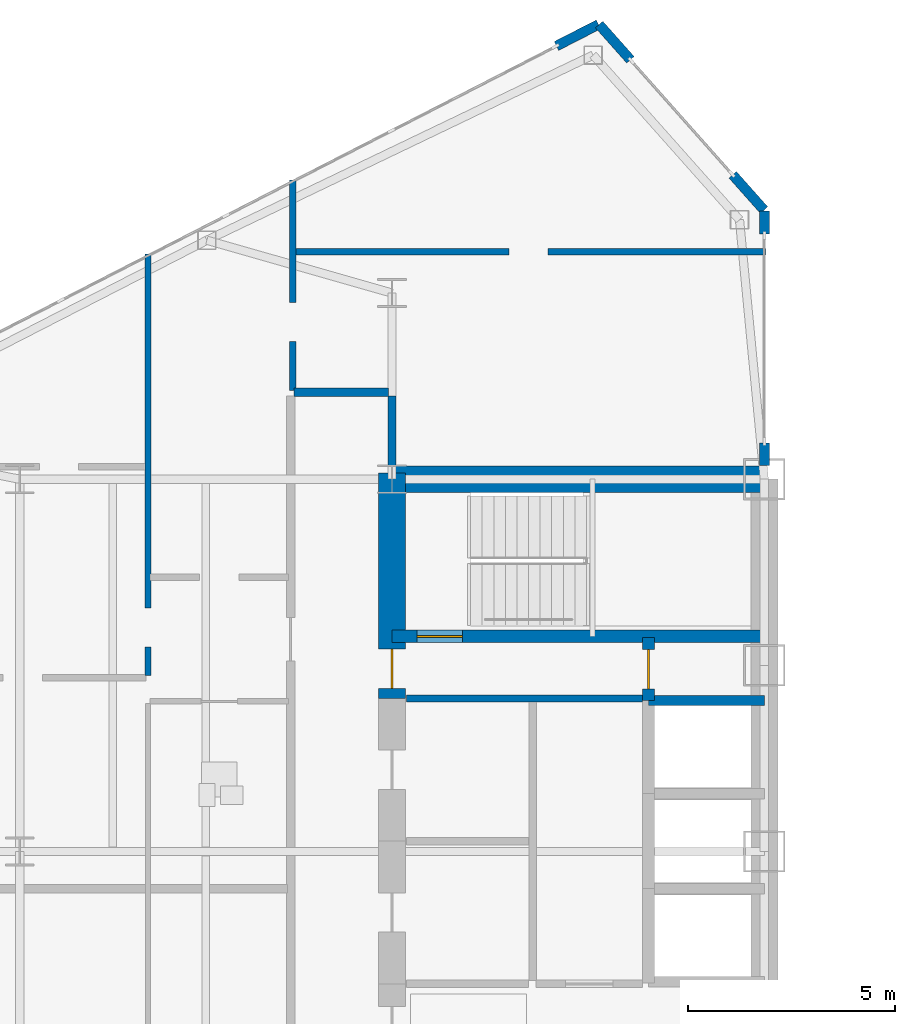
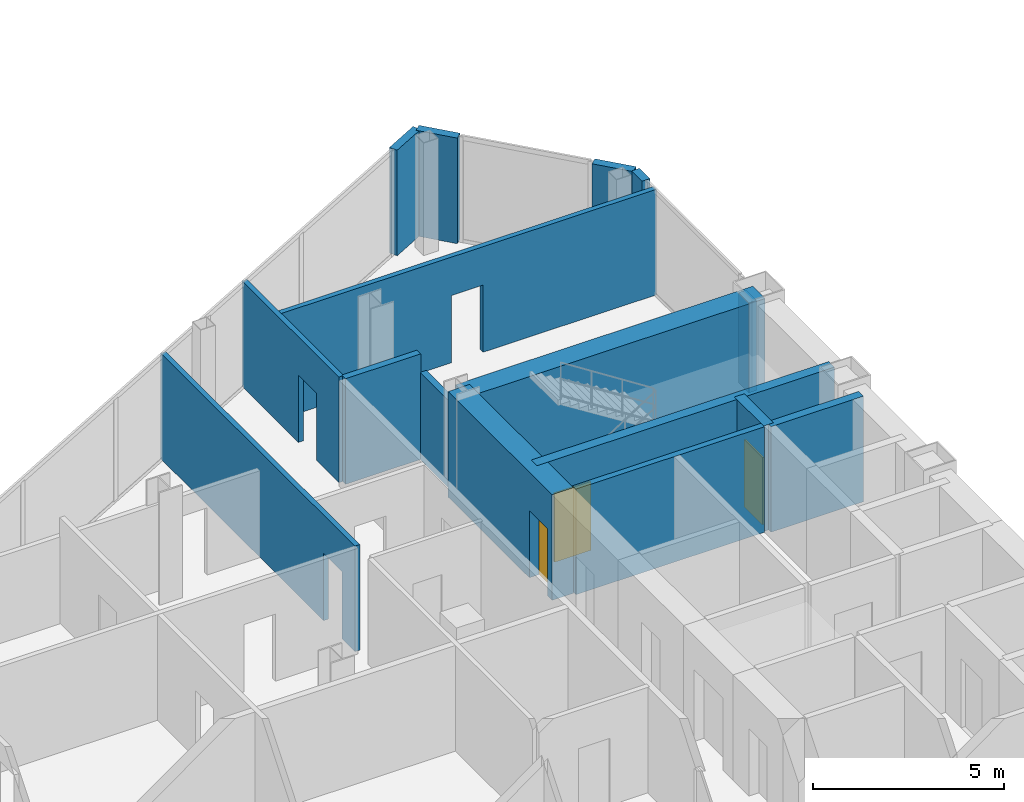
# One storey, part 18 of 24: 16 walls, 3 doors, 6 openings.
"""IFC4 building model written with IfcOpenShell, lengths in metres."""

from ifc_helpers import new_model, si_unit, direction, frame, frame_2d, origin, place, context, subcontext, project, spatial, rectangle, extrude, source, transform, mapped, material, layer, layer_set, type_object, type_shapes, element, fill, save


model = new_model("IFC4")

# Units and contexts
model_context = context("Model", 3, precision=1e-05, world=origin(), true_north=direction((0.0, 1.0)))
body_context = subcontext(model_context, "Body", "Model", "MODEL_VIEW")
ifc_project = project(units=[si_unit("LENGTHUNIT", "METRE"), si_unit("AREAUNIT", "SQUARE_METRE"), si_unit("VOLUMEUNIT", "CUBIC_METRE"), si_unit("PLANEANGLEUNIT", "RADIAN"), si_unit("MASSUNIT", "GRAM", prefix="KILO")], contexts=[model_context])

# Site, building, storey
site_placement = place(None, origin())
site = spatial("IfcSite", under=ifc_project, at=site_placement, CompositionType="ELEMENT")
building_placement = place(site_placement, origin())
building = spatial("IfcBuilding", under=site, at=building_placement, Name="Seokmaru Belvedere", CompositionType="ELEMENT")
storey_placement = place(building_placement, frame((0.0, 0.0, 117.60009765625)))
storey = spatial("IfcBuildingStorey", under=building, at=storey_placement, Name="L31", CompositionType="ELEMENT", Elevation=117.60009765625)

# Wall, opening
ifc_material_1 = material(Name="Fire-Rated Gypsum Shaftwall")
ifc_layer_1 = layer(ifc_material_1, 0.14990234375)
ifc_layer_set_1 = layer_set([ifc_layer_1], Name="Fire-Rated Gypsum Shaftwall")
wall_type_1 = type_object("IfcWallType", Name="Apartment Fire-Acoustic Room Partition 150", PredefinedType="PARTITIONING", material=ifc_layer_set_1)
wall_1_placement = place(storey_placement, frame((-38.85009765625, 19.0, 0.0), z_axis=(0.0, 0.0, 1.0), x_axis=(1.0, 0.0, 0.0)))
wall_1 = element("IfcWall", 1, at=wall_1_placement, inside=storey, type_object=wall_type_1, Name="L31 Interior Partition 026", PredefinedType="PARTITIONING", context=body_context, shape_type="SweptSolid", body=[
    extrude(rectangle(XDim=11.385009765625, YDim=0.14990234375, at=frame_2d((5.6923828125, 0.0))), origin(), (0.0, 0.0, 1.0), 3.3798828125),
])
opening_1_placement = place(wall_1_placement, frame((5.175048828125, 0.0, 0.0)))
element("IfcOpeningElement", 2, at=opening_1_placement, cuts=wall_1, Name="L31 Cased Opening 028", PredefinedType="OPENING", context=body_context, shape_type="SweptSolid", body=[
    extrude(rectangle(XDim=0.949951171875, YDim=2.14990234375, at=frame_2d((0.47509765625, 1.074951171875))), frame((0.0, 0.0849609375, 0.0), z_axis=(0.0, -1.0, 0.0), x_axis=(1.0, 0.0, 0.0)), (0.0, 0.0, 1.0), 0.169921875),
])

wall_2_placement = place(storey_placement, frame((-42.39990234375, 8.751953125, 0.0), z_axis=(0.0, 0.0, 1.0), x_axis=(0.0, 1.0, 0.0)))
wall_2 = element("IfcWall", 3, at=wall_2_placement, inside=storey, type_object=wall_type_1, Name="L31 Interior Partition 032", PredefinedType="PARTITIONING", context=body_context, shape_type="SweptSolid", body=[
    extrude(rectangle(XDim=10.18994140625, YDim=0.14990234375, at=frame_2d((5.094970703125, 0.0))), origin(), (0.0, 0.0, 1.0), 3.3798828125),
])
opening_2_placement = place(wall_2_placement, frame((0.687744140625, 0.0, 0.0)))
element("IfcOpeningElement", 4, at=opening_2_placement, cuts=wall_2, Name="L31 Cased Opening 019", PredefinedType="OPENING", context=body_context, shape_type="SweptSolid", body=[
    extrude(rectangle(XDim=0.949951171875, YDim=2.14990234375, at=frame_2d((0.47509765625, 1.074951171875))), frame((0.0, 0.0849609375, 0.0), z_axis=(0.0, -1.0, 0.0), x_axis=(1.0, 0.0, 0.0)), (0.0, 0.0, 1.0), 0.169921875),
])

wall_3_placement = place(storey_placement, frame((-38.89990234375, 15.64990234375, 0.0), z_axis=(0.0, 0.0, 1.0), x_axis=(0.0, 1.0, 0.0)))
wall_3 = element("IfcWall", 5, at=wall_3_placement, inside=storey, type_object=wall_type_1, Name="L31 Interior Partition 034", PredefinedType="PARTITIONING", context=body_context, shape_type="SweptSolid", body=[
    extrude(rectangle(XDim=5.088134765625, YDim=0.14990234375, at=frame_2d((2.5439453125, 0.0))), origin(), (0.0, 0.0, 1.0), 3.3798828125),
])
opening_3_placement = place(wall_3_placement, frame((1.175048828125, 0.0, 0.0)))
element("IfcOpeningElement", 6, at=opening_3_placement, cuts=wall_3, Name="L31 Cased Opening 027", PredefinedType="OPENING", context=body_context, shape_type="SweptSolid", body=[
    extrude(rectangle(XDim=0.949951171875, YDim=2.14990234375, at=frame_2d((0.47509765625, 1.074951171875))), frame((0.0, 0.0849609375, 0.0), z_axis=(0.0, -1.0, 0.0), x_axis=(1.0, 0.0, 0.0)), (0.0, 0.0, 1.0), 0.169921875),
])

# Walls
ifc_layer_2 = layer(ifc_material_1, 0.179931640625)
ifc_layer_set_2 = layer_set([ifc_layer_2], Name="Fire-Rated Gypsum Shaftwall")
wall_type_2 = type_object("IfcWallType", Name="Core Service Fire Partition 180", PredefinedType="PARTITIONING", material=ifc_layer_set_2)
wall_4_placement = place(storey_placement, frame((-36.14990234375, 8.199951171875, 0.0), z_axis=(0.0, 0.0, 1.0), x_axis=(1.0, 0.0, 0.0)))
element("IfcWall", 7, at=wall_4_placement, inside=storey, type_object=wall_type_2, Name="L31 West Smokeproof Vestibule Partition", PredefinedType="PARTITIONING", context=body_context, shape_type="SweptSolid", body=[
    extrude(rectangle(XDim=5.699951171875, YDim=0.179931640625, at=frame_2d((2.85009765625, 0.0))), origin(), (0.0, 0.0, 1.0), 3.3798828125),
])
ifc_material_2 = material(Name="Concrete C50 (50 MPa)", Category="concrete")
ifc_layer_3 = layer(ifc_material_2, 0.25)
ifc_layer_set_3 = layer_set([ifc_layer_3], Name="Concrete C50 (50 MPa)")
wall_type_3 = type_object("IfcWallType", Name="Hoistway Transverse Concrete Divider Wall 250", PredefinedType="SHEAR", material=ifc_layer_set_3)
wall_5_placement = place(storey_placement, frame((-30.300048828125, 8.14990234375, 0.0), z_axis=(0.0, 0.0, 1.0), x_axis=(1.0, 0.0, 0.0)))
element("IfcWall", 8, at=wall_5_placement, inside=storey, type_object=wall_type_3, Name="L31 West Hoistway Divider Core Wall 7", PredefinedType="SHEAR", context=body_context, shape_type="SweptSolid", body=[
    extrude(rectangle(XDim=2.800048828125, YDim=0.25, at=frame_2d((1.39990234375, 0.0))), origin(), (0.0, 0.0, 1.0), 3.3798828125),
])
ifc_layer_4 = layer(ifc_material_1, 0.199951171875)
ifc_layer_set_4 = layer_set([ifc_layer_4], Name="Fire-Rated Gypsum Shaftwall")
wall_type_4 = type_object("IfcWallType", Name="Inter-Tenancy Fire Compartment Partition 200", PredefinedType="PARTITIONING", material=ifc_layer_set_4)
wall_6_placement = place(storey_placement, frame((-38.864990234375, 15.60009765625, 0.0), z_axis=(0.0, 0.0, 1.0), x_axis=(1.0, 0.0, 0.0)))
element("IfcWall", 9, at=wall_6_placement, inside=storey, type_object=wall_type_4, Name="L31 Interior Partition 024", PredefinedType="PARTITIONING", context=body_context, shape_type="SweptSolid", body=[
    extrude(rectangle(XDim=2.280029296875, YDim=0.199951171875, at=frame_2d((1.14013671875, 0.0))), origin(), (0.0, 0.0, 1.0), 3.3798828125),
])
wall_7_placement = place(storey_placement, frame((-36.5, 13.830078125, 0.0), z_axis=(0.0, 0.0, 1.0), x_axis=(0.0, 1.0, 0.0)))
element("IfcWall", 10, at=wall_7_placement, inside=storey, type_object=wall_type_4, Name="L31 Interior Partition 036", PredefinedType="PARTITIONING", context=body_context, shape_type="SweptSolid", body=[
    extrude(rectangle(XDim=1.684814453125, YDim=0.199951171875, at=frame_2d((0.84228515625, 0.0))), origin(), (0.0, 0.0, 1.0), 2.77978515625),
])

# Wall, opening, door
ifc_layer_5 = layer(ifc_material_2, 0.300048828125)
ifc_layer_set_5 = layer_set([ifc_layer_5], Name="Concrete C50 (50 MPa)")
wall_type_5 = type_object("IfcWallType", Name="Internal Core Stair and Hoistway Wall 300", PredefinedType="SHEAR", material=ifc_layer_set_5)
wall_8_placement = place(storey_placement, frame((-36.5, 9.699951171875, 0.0), z_axis=(0.0, 0.0, 1.0), x_axis=(1.0, 0.0, 0.0)))
wall_8 = element("IfcWall", 11, at=wall_8_placement, inside=storey, type_object=wall_type_5, Name="L31 West Stair ST-2 Enclosure Wall", PredefinedType="SHEAR", context=body_context, shape_type="SweptSolid", body=[
    extrude(rectangle(XDim=9.0, YDim=0.300048828125, at=frame_2d((4.5, 0.0))), origin(), (0.0, 0.0, 1.0), 3.3798828125),
])
opening_4_placement = place(wall_8_placement, frame((0.60009765625, 0.0, 0.0)))
opening_4 = element("IfcOpeningElement", 12, at=opening_4_placement, cuts=wall_8, Name="Opening D01", PredefinedType="OPENING", context=body_context, shape_type="SweptSolid", body=[
    extrude(rectangle(XDim=1.10009765625, YDim=2.199951171875, at=frame_2d((0.550048828125, 1.10009765625))), frame((0.0, 0.16015625, 0.0), z_axis=(0.0, -1.0, 0.0), x_axis=(1.0, 0.0, 0.0)), (0.0, 0.0, 1.0), 0.320068359375),
])
ifc_material_3 = material(Name="Fire-Rated Steel Leaf", Category="steel")
door_type_1 = type_object("IfcDoorType", Name="Special Escape Stair Smokeproof Fire Door 1100x2200", OperationType="NOTDEFINED", PredefinedType="DOOR", material=ifc_material_3)
shared_shape_1 = source(origin(), body_context, "Body", "SweptSolid", [
    extrude(rectangle(XDim=1.10009765625, YDim=2.199951171875, at=frame_2d((0.550048828125, 1.10009765625))), frame((0.0, 0.02490234375, 0.0), z_axis=(0.0, -1.0, 0.0), x_axis=(1.0, 0.0, 0.0)), (0.0, 0.0, 1.0), 0.050048828125),
])
type_shapes(door_type_1, [shared_shape_1])
door_1_placement = place(opening_4_placement, origin())
door_1 = element("IfcDoor", 13, at=door_1_placement, inside=storey, type_object=door_type_1, Name="L31 West Special Escape Stair ST-2 Door", OperationType="SINGLE_SWING_RIGHT", OverallHeight=2.199951171875, OverallWidth=1.10009765625, PredefinedType="DOOR", context=body_context, shape_type="MappedRepresentation", body=[
    mapped(shared_shape_1, transform((0.0, 0.0, 0.0), scale=1.0)),
])
fill(opening_4, door_1)

wall_9_placement = place(storey_placement, frame((-30.300048828125, 8.14990234375, 0.0), z_axis=(0.0, 0.0, 1.0), x_axis=(0.0, 1.0, 0.0)))
wall_9 = element("IfcWall", 14, at=wall_9_placement, inside=storey, type_object=wall_type_5, Name="L31 West Electrical Riser Front Wall", PredefinedType="SHEAR", context=body_context, shape_type="SweptSolid", body=[
    extrude(rectangle(XDim=1.530029296875, YDim=0.300048828125, at=frame_2d((0.76513671875, 0.0))), origin(), (0.0, 0.0, 1.0), 3.3798828125),
])
opening_5_placement = place(wall_9_placement, frame((0.284912109375, 0.0, 0.0)))
opening_5 = element("IfcOpeningElement", 15, at=opening_5_placement, cuts=wall_9, Name="Opening D04", PredefinedType="OPENING", context=body_context, shape_type="SweptSolid", body=[
    extrude(rectangle(XDim=0.949951171875, YDim=2.14990234375, at=frame_2d((0.47509765625, 1.074951171875))), frame((0.0, 0.16015625, 0.0), z_axis=(0.0, -1.0, 0.0), x_axis=(1.0, 0.0, 0.0)), (0.0, 0.0, 1.0), 0.320068359375),
])
door_type_2 = type_object("IfcDoorType", Name="Core Service Room Fire Door 950x2150", OperationType="NOTDEFINED", PredefinedType="DOOR", material=ifc_material_3)
shared_shape_2 = source(origin(), body_context, "Body", "SweptSolid", [
    extrude(rectangle(XDim=0.949951171875, YDim=2.14990234375, at=frame_2d((0.47509765625, 1.074951171875))), frame((0.0, 0.02490234375, 0.0), z_axis=(0.0, -1.0, 0.0), x_axis=(1.0, 0.0, 0.0)), (0.0, 0.0, 1.0), 0.050048828125),
])
type_shapes(door_type_2, [shared_shape_2])
door_2_placement = place(opening_5_placement, origin())
door_2 = element("IfcDoor", 16, at=door_2_placement, inside=storey, type_object=door_type_2, Name="L31 West Electrical Riser Access Door", OperationType="SINGLE_SWING_LEFT", OverallHeight=2.14990234375, OverallWidth=0.949951171875, PredefinedType="DOOR", context=body_context, shape_type="MappedRepresentation", body=[
    mapped(shared_shape_2, transform((0.0, 0.0, 0.0), scale=1.0)),
])
fill(opening_5, door_2)

# Wall
ifc_material_4 = material(Name="Concrete C60 (60 MPa)", Category="concrete")
ifc_layer_6 = layer(ifc_material_4, 0.64990234375)
ifc_layer_set_6 = layer_set([ifc_layer_6], Name="Concrete C60 (60 MPa)")
wall_type_6 = type_object("IfcWallType", Name="Mid-Low Reinforced Concrete Core Wall 650", PredefinedType="SHEAR", material=ifc_layer_set_6)
wall_10_placement = place(storey_placement, frame((-36.5, 13.5, 0.0), z_axis=(0.0, 0.0, 1.0), x_axis=(1.0, 0.0, 0.0)))
element("IfcWall", 17, at=wall_10_placement, inside=storey, type_object=wall_type_6, Name="L31 West North Core Wall", PredefinedType="SHEAR", context=body_context, shape_type="SweptSolid", body=[
    extrude(rectangle(XDim=9.0, YDim=0.64990234375, at=frame_2d((4.5, 0.0))), origin(), (0.0, 0.0, 1.0), 3.3798828125),
])

# Wall, opening, door
wall_11_placement = place(storey_placement, frame((-36.5, 8.199951171875, 0.0), z_axis=(0.0, 0.0, 1.0), x_axis=(0.0, 1.0, 0.0)))
wall_11 = element("IfcWall", 18, at=wall_11_placement, inside=storey, type_object=wall_type_6, Name="L31 West West Core Wall VST", PredefinedType="SHEAR", context=body_context, shape_type="SweptSolid", body=[
    extrude(rectangle(XDim=5.449951171875, YDim=0.64990234375, at=frame_2d((2.72509765625, 0.0))), origin(), (0.0, 0.0, 1.0), 3.3798828125),
])
opening_6_placement = place(wall_11_placement, frame((0.2451171875, 0.0, 0.0)))
opening_6 = element("IfcOpeningElement", 19, at=opening_6_placement, cuts=wall_11, Name="Opening D04", PredefinedType="OPENING", context=body_context, shape_type="SweptSolid", body=[
    extrude(rectangle(XDim=0.949951171875, YDim=2.14990234375, at=frame_2d((0.47509765625, 1.074951171875))), frame((0.0, 0.3349609375, 0.0), z_axis=(0.0, -1.0, 0.0), x_axis=(1.0, 0.0, 0.0)), (0.0, 0.0, 1.0), 0.669921875),
])
door_3_placement = place(opening_6_placement, frame((0.949951171875, 0.0, 0.0), z_axis=(0.0, 0.0, 1.0), x_axis=(-1.0, 0.0, 0.0)))
door_3 = element("IfcDoor", 20, at=door_3_placement, inside=storey, type_object=door_type_2, Name="L31 West Smokeproof Vestibule Door", OperationType="SINGLE_SWING_RIGHT", OverallHeight=2.14990234375, OverallWidth=0.949951171875, PredefinedType="DOOR", context=body_context, shape_type="MappedRepresentation", body=[
    mapped(shared_shape_2, transform((0.0, 0.0, 0.0), scale=1.0)),
])
fill(opening_6, door_3)

# Walls
ifc_material_5 = material(Name="Anodised Bronze Aluminium", Category="aluminium")
ifc_layer_7 = layer(ifc_material_5, 0.239990234375)
ifc_layer_set_7 = layer_set([ifc_layer_7], Name="Anodised Bronze Aluminium")
wall_type_7 = type_object("IfcWallType", Name="Tower Corner Spandrel Closure Wall 240", PredefinedType="SOLIDWALL", material=ifc_layer_set_7)
wall_12_placement = place(storey_placement, frame((-27.5, 13.830078125, 0.0), z_axis=(0.0, 0.0, 1.0), x_axis=(0.0, 1.0, 0.0)))
element("IfcWall", 21, at=wall_12_placement, inside=storey, type_object=wall_type_7, Name="L31 W Spine Closure Pier 2A", PredefinedType="SOLIDWALL", context=body_context, shape_type="SweptSolid", body=[
    extrude(rectangle(XDim=0.5498046875, YDim=0.239990234375, at=frame_2d((0.27490234375, 0.0))), origin(), (0.0, 0.0, 1.0), 2.8798828125),
])
wall_13_placement = place(storey_placement, frame((-27.5, 19.429931640625, 0.0), z_axis=(0.0, 0.0, 1.0), x_axis=(0.0, 1.0, 0.0)))
element("IfcWall", 22, at=wall_13_placement, inside=storey, type_object=wall_type_7, Name="L31 W Spine Closure Pier 2B", PredefinedType="SOLIDWALL", context=body_context, shape_type="SweptSolid", body=[
    extrude(rectangle(XDim=0.550048828125, YDim=0.239990234375, at=frame_2d((0.27490234375, 0.0))), origin(), (0.0, 0.0, 1.0), 3.3798828125),
])
for number, where, z_axis, x_axis, name in (
    (23, (-27.506591796875, 20.007568359375, 0.0), (0.0, 0.0, 1.0), (-0.664337252513, 0.747432950119, 0.0), "L31 W Corner Closure Pier 2A"),
    (24, (-30.736083984375, 23.640380859375, 0.0), (0.0, 0.0, 1.0), (-0.664337252513, 0.747432950119, 0.0), "L31 W Corner Closure Pier 2B"),
):
    element("IfcWall", number, at=place(storey_placement, frame(where, z_axis=z_axis, x_axis=x_axis)), inside=storey, type_object=wall_type_7, Name=name, PredefinedType="SOLIDWALL", context=body_context, shape_type="SweptSolid", body=[
        extrude(rectangle(XDim=1.139892578125, YDim=0.239990234375, at=frame_2d((0.56982421875, 0.0))), origin(), (0.0, 0.0, 1.0), 3.3798828125),
    ])
wall_14_placement = place(storey_placement, frame((-31.5087890625, 24.495361328125, 0.0), z_axis=(0.0, 0.0, 1.0), x_axis=(-0.889797395748, -0.456355776255, 0.0)))
element("IfcWall", 25, at=wall_14_placement, inside=storey, type_object=wall_type_7, Name="L31 W Corner Closure Pier 3A", PredefinedType="SOLIDWALL", context=body_context, shape_type="SweptSolid", body=[
    extrude(rectangle(XDim=1.14013671875, YDim=0.239990234375, at=frame_2d((0.570068359375, 0.0))), origin(), (0.0, 0.0, 1.0), 3.3798828125),
])

save(model, "model.ifc")
